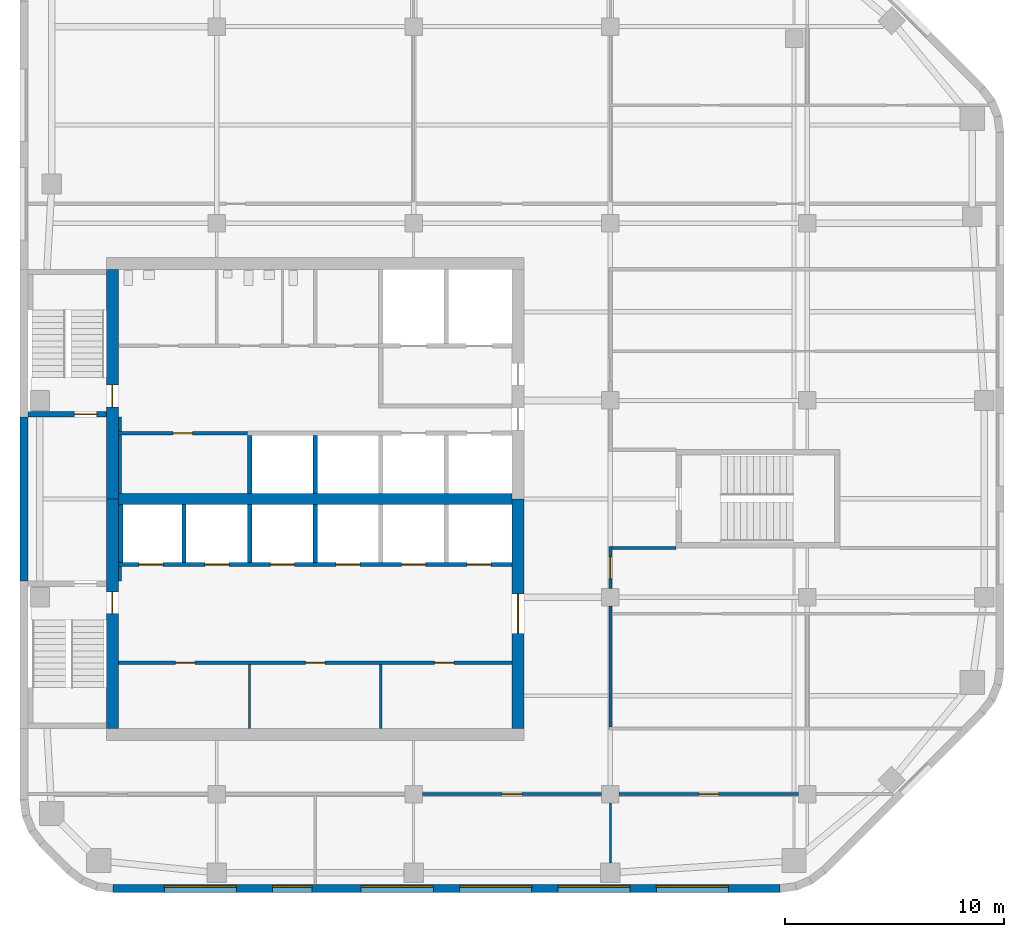
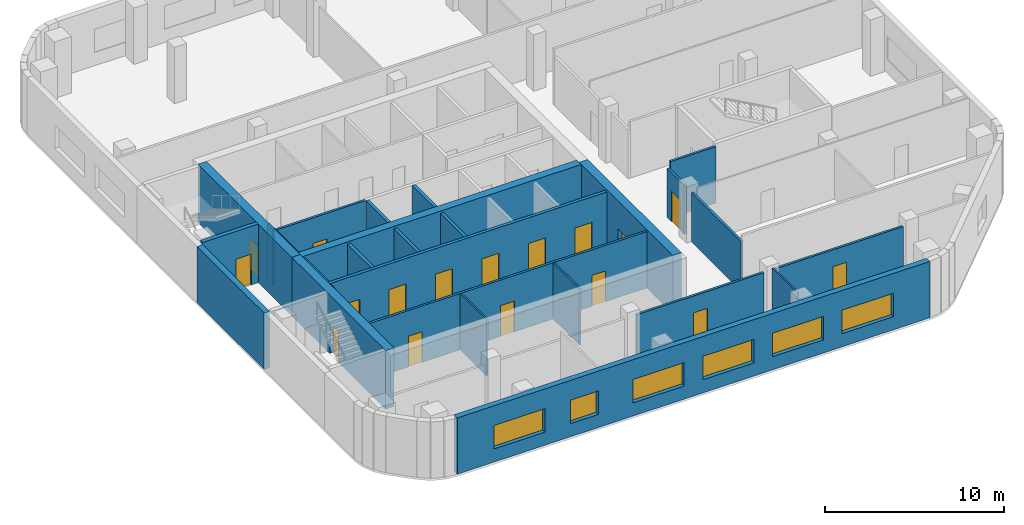
# One storey, part 3 of 8: 27 walls, 17 doors, 6 windows, 23 openings.
"""IFC4 building model written with IfcOpenShell, lengths in metres."""

from ifc_helpers import new_model, si_unit, direction, frame, frame_2d, origin, place, context, subcontext, project, spatial, rectangle, extrude, material, layer, layer_set, type_object, element, fill, save


model = new_model("IFC4")

# Units and contexts
model_context = context("Model", 3, precision=1e-05, world=origin(), true_north=direction((0.0, 1.0)))
body_context = subcontext(model_context, "Body", "Model", "MODEL_VIEW")
ifc_project = project(units=[si_unit("LENGTHUNIT", "METRE"), si_unit("AREAUNIT", "SQUARE_METRE"), si_unit("VOLUMEUNIT", "CUBIC_METRE"), si_unit("PLANEANGLEUNIT", "RADIAN"), si_unit("MASSUNIT", "GRAM", prefix="KILO")], contexts=[model_context])

# Site, building, storey
site_placement = place(None, origin())
site = spatial("IfcSite", under=ifc_project, at=site_placement, CompositionType="ELEMENT")
building_placement = place(site_placement, origin())
building = spatial("IfcBuilding", under=site, at=building_placement, Name="Cinnabar Reach Civic Tower", CompositionType="ELEMENT")
storey_placement = place(building_placement, frame((0.0, 0.0, 222.0)))
storey = spatial("IfcBuildingStorey", under=building, at=storey_placement, Name="L53", CompositionType="ELEMENT", Elevation=222.0)

# Wall, openings, windows
ifc_material_1 = material(Name="Facing brick with insulated backing", Category="masonry")
ifc_layer_1 = layer(ifc_material_1, 0.36)
ifc_layer_set_1 = layer_set([ifc_layer_1], Name="Brick pier and spandrel wall")
wall_type_1 = type_object("IfcWallType", Name="Brick pier and spandrel wall", PredefinedType="STANDARD", material=ifc_layer_set_1)
wall_1_placement = place(storey_placement, frame((4.2426, 13.68, 0.0), z_axis=(0.0, 0.0, 1.0), x_axis=(1.0, 0.0, 0.0)))
wall_1 = element("IfcWall", 1, at=wall_1_placement, inside=storey, type_object=wall_type_1, Name="Brick facade wall", PredefinedType="STANDARD", context=body_context, shape_type="SweptSolid", body=[
    extrude(rectangle(XDim=30.5148, YDim=0.36, at=frame_2d((15.2574, 0.0))), origin(), (0.0, 0.0, 1.0), 3.85),
])
opening_1_placement = place(wall_1_placement, frame((2.3574, 0.0, 0.9)))
opening_1 = element("IfcOpeningElement", 2, at=opening_1_placement, cuts=wall_1, Name="Opening W2080", PredefinedType="OPENING", context=body_context, shape_type="SweptSolid", body=[
    extrude(rectangle(XDim=3.3, YDim=1.6, at=frame_2d((1.65, 0.8))), frame((0.0, 0.19, 0.0), z_axis=(0.0, -1.0, 0.0), x_axis=(1.0, 0.0, 0.0)), (0.0, 0.0, 1.0), 0.38),
])
opening_2_placement = place(wall_1_placement, frame((7.3074, 0.0, 0.9)))
opening_2 = element("IfcOpeningElement", 3, at=opening_2_placement, cuts=wall_1, Name="Opening W2081", PredefinedType="OPENING", context=body_context, shape_type="SweptSolid", body=[
    extrude(rectangle(XDim=1.8, YDim=1.6, at=frame_2d((0.9, 0.8))), frame((0.0, 0.19, 0.0), z_axis=(0.0, -1.0, 0.0), x_axis=(1.0, 0.0, 0.0)), (0.0, 0.0, 1.0), 0.38),
])
opening_3_placement = place(wall_1_placement, frame((11.3574, 0.0, 0.9)))
opening_3 = element("IfcOpeningElement", 4, at=opening_3_placement, cuts=wall_1, Name="Opening W2082", PredefinedType="OPENING", context=body_context, shape_type="SweptSolid", body=[
    extrude(rectangle(XDim=3.3, YDim=1.6, at=frame_2d((1.65, 0.8))), frame((0.0, 0.19, 0.0), z_axis=(0.0, -1.0, 0.0), x_axis=(1.0, 0.0, 0.0)), (0.0, 0.0, 1.0), 0.38),
])
opening_4_placement = place(wall_1_placement, frame((15.8574, 0.0, 0.9)))
opening_4 = element("IfcOpeningElement", 5, at=opening_4_placement, cuts=wall_1, Name="Opening W2083", PredefinedType="OPENING", context=body_context, shape_type="SweptSolid", body=[
    extrude(rectangle(XDim=3.3, YDim=1.6, at=frame_2d((1.65, 0.8))), frame((0.0, 0.19, 0.0), z_axis=(0.0, -1.0, 0.0), x_axis=(1.0, 0.0, 0.0)), (0.0, 0.0, 1.0), 0.38),
])
opening_5_placement = place(wall_1_placement, frame((20.3574, 0.0, 0.9)))
opening_5 = element("IfcOpeningElement", 6, at=opening_5_placement, cuts=wall_1, Name="Opening W2084", PredefinedType="OPENING", context=body_context, shape_type="SweptSolid", body=[
    extrude(rectangle(XDim=3.3, YDim=1.6, at=frame_2d((1.65, 0.8))), frame((0.0, 0.19, 0.0), z_axis=(0.0, -1.0, 0.0), x_axis=(1.0, 0.0, 0.0)), (0.0, 0.0, 1.0), 0.38),
])
opening_6_placement = place(wall_1_placement, frame((24.8574, 0.0, 0.9)))
opening_6 = element("IfcOpeningElement", 7, at=opening_6_placement, cuts=wall_1, Name="Opening W2085", PredefinedType="OPENING", context=body_context, shape_type="SweptSolid", body=[
    extrude(rectangle(XDim=3.3, YDim=1.6, at=frame_2d((1.65, 0.8))), frame((0.0, 0.19, 0.0), z_axis=(0.0, -1.0, 0.0), x_axis=(1.0, 0.0, 0.0)), (0.0, 0.0, 1.0), 0.38),
])
ifc_material_2 = material(Name="Clear double glazing in aluminium frame", Category="aluminium")
window_type_1 = type_object("IfcWindowType", Name="Deep-set window A", PartitioningType="SINGLE_PANEL", PredefinedType="WINDOW", material=ifc_material_2)
window_1_placement = place(opening_1_placement, origin())
window_1 = element("IfcWindow", 8, at=window_1_placement, inside=storey, type_object=window_type_1, Name="Window south face", OverallHeight=1.6, OverallWidth=3.3, PartitioningType="SINGLE_PANEL", PredefinedType="WINDOW", context=body_context, shape_type="SweptSolid", body=[
    extrude(rectangle(XDim=3.3, YDim=1.6, at=frame_2d((1.65, 0.8))), frame((0.0, 0.13, 0.0), z_axis=(0.0, -1.0, 0.0), x_axis=(1.0, 0.0, 0.0)), (0.0, 0.0, 1.0), 0.06),
])
fill(opening_1, window_1)
window_2_placement = place(opening_3_placement, origin())
window_2 = element("IfcWindow", 9, at=window_2_placement, inside=storey, type_object=window_type_1, Name="Window south face", OverallHeight=1.6, OverallWidth=3.3, PartitioningType="SINGLE_PANEL", PredefinedType="WINDOW", context=body_context, shape_type="SweptSolid", body=[
    extrude(rectangle(XDim=3.3, YDim=1.6, at=frame_2d((1.65, 0.8))), frame((0.0, 0.13, 0.0), z_axis=(0.0, -1.0, 0.0), x_axis=(1.0, 0.0, 0.0)), (0.0, 0.0, 1.0), 0.06),
])
fill(opening_3, window_2)
window_3_placement = place(opening_4_placement, origin())
window_3 = element("IfcWindow", 10, at=window_3_placement, inside=storey, type_object=window_type_1, Name="Window south face", OverallHeight=1.6, OverallWidth=3.3, PartitioningType="SINGLE_PANEL", PredefinedType="WINDOW", context=body_context, shape_type="SweptSolid", body=[
    extrude(rectangle(XDim=3.3, YDim=1.6, at=frame_2d((1.65, 0.8))), frame((0.0, 0.13, 0.0), z_axis=(0.0, -1.0, 0.0), x_axis=(1.0, 0.0, 0.0)), (0.0, 0.0, 1.0), 0.06),
])
fill(opening_4, window_3)
window_4_placement = place(opening_5_placement, origin())
window_4 = element("IfcWindow", 11, at=window_4_placement, inside=storey, type_object=window_type_1, Name="Window south face", OverallHeight=1.6, OverallWidth=3.3, PartitioningType="SINGLE_PANEL", PredefinedType="WINDOW", context=body_context, shape_type="SweptSolid", body=[
    extrude(rectangle(XDim=3.3, YDim=1.6, at=frame_2d((1.65, 0.8))), frame((0.0, 0.13, 0.0), z_axis=(0.0, -1.0, 0.0), x_axis=(1.0, 0.0, 0.0)), (0.0, 0.0, 1.0), 0.06),
])
fill(opening_5, window_4)
window_5_placement = place(opening_6_placement, origin())
window_5 = element("IfcWindow", 12, at=window_5_placement, inside=storey, type_object=window_type_1, Name="Window south face", OverallHeight=1.6, OverallWidth=3.3, PartitioningType="SINGLE_PANEL", PredefinedType="WINDOW", context=body_context, shape_type="SweptSolid", body=[
    extrude(rectangle(XDim=3.3, YDim=1.6, at=frame_2d((1.65, 0.8))), frame((0.0, 0.13, 0.0), z_axis=(0.0, -1.0, 0.0), x_axis=(1.0, 0.0, 0.0)), (0.0, 0.0, 1.0), 0.06),
])
fill(opening_6, window_5)
window_type_2 = type_object("IfcWindowType", Name="Deep-set window D", PartitioningType="SINGLE_PANEL", PredefinedType="WINDOW", material=ifc_material_2)
window_6_placement = place(opening_2_placement, origin())
window_6 = element("IfcWindow", 13, at=window_6_placement, inside=storey, type_object=window_type_2, Name="Window south face", OverallHeight=1.6, OverallWidth=1.8, PartitioningType="SINGLE_PANEL", PredefinedType="WINDOW", context=body_context, shape_type="SweptSolid", body=[
    extrude(rectangle(XDim=1.8, YDim=1.6, at=frame_2d((0.9, 0.8))), frame((0.0, 0.13, 0.0), z_axis=(0.0, -1.0, 0.0), x_axis=(1.0, 0.0, 0.0)), (0.0, 0.0, 1.0), 0.06),
])
fill(opening_2, window_6)

# Walls
wall_2_placement = place(storey_placement, frame((0.18, 35.25, 0.0), z_axis=(0.0, 0.0, 1.0), x_axis=(0.0, -1.0, 0.0)))
element("IfcWall", 14, at=wall_2_placement, inside=storey, type_object=wall_type_1, Name="Brick facade wall", PredefinedType="STANDARD", context=body_context, shape_type="SweptSolid", body=[
    extrude(rectangle(XDim=7.5, YDim=0.36, at=frame_2d((3.75, 0.0))), origin(), (0.0, 0.0, 1.0), 3.85),
])
ifc_material_3 = material(Name="Concrete C60", Category="concrete")
ifc_layer_2 = layer(ifc_material_3, 0.5)
ifc_layer_set_2 = layer_set([ifc_layer_2], Name="Core wall 500 EI 180")
wall_type_2 = type_object("IfcWallType", Name="Core wall 500 EI 180", PredefinedType="SOLIDWALL", material=ifc_layer_set_2)
wall_3_placement = place(storey_placement, frame((4.5, 31.5, 0.0), z_axis=(0.0, 0.0, 1.0), x_axis=(1.0, 0.0, 0.0)))
element("IfcWall", 15, at=wall_3_placement, inside=storey, type_object=wall_type_2, Name="Core spine wall T1 L53", PredefinedType="SOLIDWALL", context=body_context, shape_type="SweptSolid", body=[
    extrude(rectangle(XDim=18.0, YDim=0.5, at=frame_2d((9.0, 0.0))), origin(), (0.0, 0.0, 1.0), 4.0),
])

# Wall, opening, door
ifc_layer_3 = layer(ifc_material_3, 0.55)
ifc_layer_set_3 = layer_set([ifc_layer_3], Name="Core wall 550 EI 180")
wall_type_3 = type_object("IfcWallType", Name="Core wall 550 EI 180", PredefinedType="SOLIDWALL", material=ifc_layer_set_3)
wall_4_placement = place(storey_placement, frame((22.775, 21.0, 0.0), z_axis=(0.0, 0.0, 1.0), x_axis=(0.0, 1.0, 0.0)))
wall_4 = element("IfcWall", 16, at=wall_4_placement, inside=storey, type_object=wall_type_3, Name="Core wall T1 L53 E", PredefinedType="SOLIDWALL", context=body_context, shape_type="SweptSolid", body=[
    extrude(rectangle(XDim=10.5, YDim=0.55, at=frame_2d((5.25, 0.0))), origin(), (0.0, 0.0, 1.0), 4.0),
])
opening_7_placement = place(wall_4_placement, frame((4.35, 0.0, 0.0)))
opening_7 = element("IfcOpeningElement", 17, at=opening_7_placement, cuts=wall_4, Name="Opening D5161", PredefinedType="OPENING", context=body_context, shape_type="SweptSolid", body=[
    extrude(rectangle(XDim=1.8, YDim=2.1, at=frame_2d((0.9, 1.05))), frame((0.0, 0.285, 0.0), z_axis=(0.0, -1.0, 0.0), x_axis=(1.0, 0.0, 0.0)), (0.0, 0.0, 1.0), 0.57),
])
ifc_material_4 = material(Name="Timber door leaf in steel frame", Category="steel")
door_type_1 = type_object("IfcDoorType", Name="Double swing door 1800 x 2100 T1", OperationType="DOUBLE_DOOR_DOUBLE_SWING", PredefinedType="DOOR", material=ifc_material_4)
door_1_placement = place(opening_7_placement, origin())
door_1 = element("IfcDoor", 18, at=door_1_placement, inside=storey, type_object=door_type_1, Name="Door D5161", OperationType="DOUBLE_DOOR_DOUBLE_SWING", OverallHeight=2.1, OverallWidth=1.8, PredefinedType="DOOR", context=body_context, shape_type="SweptSolid", body=[
    extrude(rectangle(XDim=1.8, YDim=2.1, at=frame_2d((0.9, 1.05))), frame((0.0, 0.025, 0.0), z_axis=(0.0, -1.0, 0.0), x_axis=(1.0, 0.0, 0.0)), (0.0, 0.0, 1.0), 0.05),
])
fill(opening_7, door_1)

wall_5_placement = place(storey_placement, frame((4.225, 42.0, 0.0), z_axis=(0.0, 0.0, 1.0), x_axis=(0.0, -1.0, 0.0)))
wall_5 = element("IfcWall", 19, at=wall_5_placement, inside=storey, type_object=wall_type_3, Name="Core wall T1 L53 W", PredefinedType="SOLIDWALL", context=body_context, shape_type="SweptSolid", body=[
    extrude(rectangle(XDim=10.5, YDim=0.55, at=frame_2d((5.25, 0.0))), origin(), (0.0, 0.0, 1.0), 4.0),
])
opening_8_placement = place(wall_5_placement, frame((5.3, 0.0, 0.0)))
opening_8 = element("IfcOpeningElement", 20, at=opening_8_placement, cuts=wall_5, Name="Opening D5149", PredefinedType="OPENING", context=body_context, shape_type="SweptSolid", body=[
    extrude(rectangle(XDim=1.0, YDim=2.1, at=frame_2d((0.5, 1.05))), frame((0.0, 0.285, 0.0), z_axis=(0.0, -1.0, 0.0), x_axis=(1.0, 0.0, 0.0)), (0.0, 0.0, 1.0), 0.57),
])
door_type_2 = type_object("IfcDoorType", Name="Stair door 1000 x 2100 T1", OperationType="SINGLE_SWING_LEFT", PredefinedType="DOOR", material=ifc_material_4)
door_2_placement = place(opening_8_placement, frame((1.0, 0.0, 0.0), z_axis=(0.0, 0.0, 1.0), x_axis=(-1.0, 0.0, 0.0)))
door_2 = element("IfcDoor", 21, at=door_2_placement, inside=storey, type_object=door_type_2, Name="Door D5149", OperationType="SINGLE_SWING_LEFT", OverallHeight=2.1, OverallWidth=1.0, PredefinedType="DOOR", context=body_context, shape_type="SweptSolid", body=[
    extrude(rectangle(XDim=1.0, YDim=2.1, at=frame_2d((0.5, 1.05))), frame((0.0, 0.025, 0.0), z_axis=(0.0, -1.0, 0.0), x_axis=(1.0, 0.0, 0.0)), (0.0, 0.0, 1.0), 0.05),
])
fill(opening_8, door_2)

wall_6_placement = place(storey_placement, frame((4.225, 31.5, 0.0), z_axis=(0.0, 0.0, 1.0), x_axis=(0.0, -1.0, 0.0)))
wall_6 = element("IfcWall", 22, at=wall_6_placement, inside=storey, type_object=wall_type_3, Name="Core wall T1 L53 W2", PredefinedType="SOLIDWALL", context=body_context, shape_type="SweptSolid", body=[
    extrude(rectangle(XDim=10.5, YDim=0.55, at=frame_2d((5.25, 0.0))), origin(), (0.0, 0.0, 1.0), 4.0),
])
opening_9_placement = place(wall_6_placement, frame((4.25, 0.0, 0.0)))
opening_9 = element("IfcOpeningElement", 23, at=opening_9_placement, cuts=wall_6, Name="Opening D5147", PredefinedType="OPENING", context=body_context, shape_type="SweptSolid", body=[
    extrude(rectangle(XDim=1.0, YDim=2.1, at=frame_2d((0.5, 1.05))), frame((0.0, 0.285, 0.0), z_axis=(0.0, -1.0, 0.0), x_axis=(1.0, 0.0, 0.0)), (0.0, 0.0, 1.0), 0.57),
])
door_3_placement = place(opening_9_placement, frame((1.0, 0.0, 0.0), z_axis=(0.0, 0.0, 1.0), x_axis=(-1.0, 0.0, 0.0)))
door_3 = element("IfcDoor", 24, at=door_3_placement, inside=storey, type_object=door_type_2, Name="Door D5147", OperationType="SINGLE_SWING_RIGHT", OverallHeight=2.1, OverallWidth=1.0, PredefinedType="DOOR", context=body_context, shape_type="SweptSolid", body=[
    extrude(rectangle(XDim=1.0, YDim=2.1, at=frame_2d((0.5, 1.05))), frame((0.0, 0.025, 0.0), z_axis=(0.0, -1.0, 0.0), x_axis=(1.0, 0.0, 0.0)), (0.0, 0.0, 1.0), 0.05),
])
fill(opening_9, door_3)

ifc_material_5 = material(Name="Gypsum board on steel studs, double layer", Category="steel")
ifc_layer_4 = layer(ifc_material_5, 0.15)
ifc_layer_set_4 = layer_set([ifc_layer_4], Name="Corridor wall 150 T1")
wall_type_4 = type_object("IfcWallType", Name="Corridor wall 150 T1", PredefinedType="PARTITIONING", material=ifc_layer_set_4)
wall_7_placement = place(storey_placement, frame((27.4, 18.0, 0.0), z_axis=(0.0, 0.0, 1.0), x_axis=(1.0, 0.0, 0.0)))
wall_7 = element("IfcWall", 25, at=wall_7_placement, inside=storey, type_object=wall_type_4, Name="Corridor wall 20", PredefinedType="PARTITIONING", context=body_context, shape_type="SweptSolid", body=[
    extrude(rectangle(XDim=8.2, YDim=0.15, at=frame_2d((4.1, 0.0))), origin(), (0.0, 0.0, 1.0), 3.254),
])
opening_10_placement = place(wall_7_placement, frame((3.65, 0.0, 0.0)))
opening_10 = element("IfcOpeningElement", 26, at=opening_10_placement, cuts=wall_7, Name="Opening D5180", PredefinedType="OPENING", context=body_context, shape_type="SweptSolid", body=[
    extrude(rectangle(XDim=0.9, YDim=2.1, at=frame_2d((0.45, 1.05))), frame((0.0, 0.085, 0.0), z_axis=(0.0, -1.0, 0.0), x_axis=(1.0, 0.0, 0.0)), (0.0, 0.0, 1.0), 0.17),
])
door_type_3 = type_object("IfcDoorType", Name="Single swing door 900 x 2100 corridor T1", OperationType="SINGLE_SWING_LEFT", PredefinedType="DOOR", material=ifc_material_4)
door_4_placement = place(opening_10_placement, frame((0.9, 0.0, 0.0), z_axis=(0.0, 0.0, 1.0), x_axis=(-1.0, 0.0, 0.0)))
door_4 = element("IfcDoor", 27, at=door_4_placement, inside=storey, type_object=door_type_3, Name="Door D5180", OperationType="SINGLE_SWING_LEFT", OverallHeight=2.1, OverallWidth=0.9, PredefinedType="DOOR", context=body_context, shape_type="SweptSolid", body=[
    extrude(rectangle(XDim=0.9, YDim=2.1, at=frame_2d((0.45, 1.05))), frame((0.0, 0.025, 0.0), z_axis=(0.0, -1.0, 0.0), x_axis=(1.0, 0.0, 0.0)), (0.0, 0.0, 1.0), 0.05),
])
fill(opening_10, door_4)

wall_8_placement = place(storey_placement, frame((18.4, 18.0, 0.0), z_axis=(0.0, 0.0, 1.0), x_axis=(1.0, 0.0, 0.0)))
wall_8 = element("IfcWall", 28, at=wall_8_placement, inside=storey, type_object=wall_type_4, Name="Corridor wall 21", PredefinedType="PARTITIONING", context=body_context, shape_type="SweptSolid", body=[
    extrude(rectangle(XDim=8.2, YDim=0.15, at=frame_2d((4.1, 0.0))), origin(), (0.0, 0.0, 1.0), 3.254),
])
opening_11_placement = place(wall_8_placement, frame((3.65, 0.0, 0.0)))
opening_11 = element("IfcOpeningElement", 29, at=opening_11_placement, cuts=wall_8, Name="Opening D5179", PredefinedType="OPENING", context=body_context, shape_type="SweptSolid", body=[
    extrude(rectangle(XDim=0.9, YDim=2.1, at=frame_2d((0.45, 1.05))), frame((0.0, 0.085, 0.0), z_axis=(0.0, -1.0, 0.0), x_axis=(1.0, 0.0, 0.0)), (0.0, 0.0, 1.0), 0.17),
])
door_5_placement = place(opening_11_placement, frame((0.9, 0.0, 0.0), z_axis=(0.0, 0.0, 1.0), x_axis=(-1.0, 0.0, 0.0)))
door_5 = element("IfcDoor", 30, at=door_5_placement, inside=storey, type_object=door_type_3, Name="Door D5179", OperationType="SINGLE_SWING_LEFT", OverallHeight=2.1, OverallWidth=0.9, PredefinedType="DOOR", context=body_context, shape_type="SweptSolid", body=[
    extrude(rectangle(XDim=0.9, YDim=2.1, at=frame_2d((0.45, 1.05))), frame((0.0, 0.025, 0.0), z_axis=(0.0, -1.0, 0.0), x_axis=(1.0, 0.0, 0.0)), (0.0, 0.0, 1.0), 0.05),
])
fill(opening_11, door_5)

# Wall, openings, doors
wall_9_placement = place(storey_placement, frame((4.5, 24.0, 0.0), z_axis=(0.0, 0.0, 1.0), x_axis=(1.0, 0.0, 0.0)))
wall_9 = element("IfcWall", 31, at=wall_9_placement, inside=storey, type_object=wall_type_4, Name="Corridor wall 24", PredefinedType="PARTITIONING", context=body_context, shape_type="SweptSolid", body=[
    extrude(rectangle(XDim=18.0, YDim=0.15, at=frame_2d((9.0, 0.0))), origin(), (0.0, 0.0, 1.0), 3.85),
])
opening_12_placement = place(wall_9_placement, frame((2.6, 0.0, 0.0)))
opening_12 = element("IfcOpeningElement", 32, at=opening_12_placement, cuts=wall_9, Name="Opening D5165", PredefinedType="OPENING", context=body_context, shape_type="SweptSolid", body=[
    extrude(rectangle(XDim=0.9, YDim=2.1, at=frame_2d((0.45, 1.05))), frame((0.0, 0.085, 0.0), z_axis=(0.0, -1.0, 0.0), x_axis=(1.0, 0.0, 0.0)), (0.0, 0.0, 1.0), 0.17),
])
opening_13_placement = place(wall_9_placement, frame((8.55, 0.0, 0.0)))
opening_13 = element("IfcOpeningElement", 33, at=opening_13_placement, cuts=wall_9, Name="Opening D5166", PredefinedType="OPENING", context=body_context, shape_type="SweptSolid", body=[
    extrude(rectangle(XDim=0.9, YDim=2.1, at=frame_2d((0.45, 1.05))), frame((0.0, 0.085, 0.0), z_axis=(0.0, -1.0, 0.0), x_axis=(1.0, 0.0, 0.0)), (0.0, 0.0, 1.0), 0.17),
])
opening_14_placement = place(wall_9_placement, frame((14.45, 0.0, 0.0)))
opening_14 = element("IfcOpeningElement", 34, at=opening_14_placement, cuts=wall_9, Name="Opening D5167", PredefinedType="OPENING", context=body_context, shape_type="SweptSolid", body=[
    extrude(rectangle(XDim=0.9, YDim=2.1, at=frame_2d((0.45, 1.05))), frame((0.0, 0.085, 0.0), z_axis=(0.0, -1.0, 0.0), x_axis=(1.0, 0.0, 0.0)), (0.0, 0.0, 1.0), 0.17),
])
door_6_placement = place(opening_12_placement, frame((0.9, 0.0, 0.0), z_axis=(0.0, 0.0, 1.0), x_axis=(-1.0, 0.0, 0.0)))
door_6 = element("IfcDoor", 35, at=door_6_placement, inside=storey, type_object=door_type_3, Name="Door D5165", OperationType="SINGLE_SWING_RIGHT", OverallHeight=2.1, OverallWidth=0.9, PredefinedType="DOOR", context=body_context, shape_type="SweptSolid", body=[
    extrude(rectangle(XDim=0.9, YDim=2.1, at=frame_2d((0.45, 1.05))), frame((0.0, 0.025, 0.0), z_axis=(0.0, -1.0, 0.0), x_axis=(1.0, 0.0, 0.0)), (0.0, 0.0, 1.0), 0.05),
])
fill(opening_12, door_6)
door_7_placement = place(opening_13_placement, frame((0.9, 0.0, 0.0), z_axis=(0.0, 0.0, 1.0), x_axis=(-1.0, 0.0, 0.0)))
door_7 = element("IfcDoor", 36, at=door_7_placement, inside=storey, type_object=door_type_3, Name="Door D5166", OperationType="SINGLE_SWING_RIGHT", OverallHeight=2.1, OverallWidth=0.9, PredefinedType="DOOR", context=body_context, shape_type="SweptSolid", body=[
    extrude(rectangle(XDim=0.9, YDim=2.1, at=frame_2d((0.45, 1.05))), frame((0.0, 0.025, 0.0), z_axis=(0.0, -1.0, 0.0), x_axis=(1.0, 0.0, 0.0)), (0.0, 0.0, 1.0), 0.05),
])
fill(opening_13, door_7)
door_8_placement = place(opening_14_placement, frame((0.9, 0.0, 0.0), z_axis=(0.0, 0.0, 1.0), x_axis=(-1.0, 0.0, 0.0)))
door_8 = element("IfcDoor", 37, at=door_8_placement, inside=storey, type_object=door_type_3, Name="Door D5167", OperationType="SINGLE_SWING_LEFT", OverallHeight=2.1, OverallWidth=0.9, PredefinedType="DOOR", context=body_context, shape_type="SweptSolid", body=[
    extrude(rectangle(XDim=0.9, YDim=2.1, at=frame_2d((0.45, 1.05))), frame((0.0, 0.025, 0.0), z_axis=(0.0, -1.0, 0.0), x_axis=(1.0, 0.0, 0.0)), (0.0, 0.0, 1.0), 0.05),
])
fill(opening_14, door_8)

# Wall
wall_10_placement = place(storey_placement, frame((27.0, 21.075, 0.0), z_axis=(0.0, 0.0, 1.0), x_axis=(0.0, 1.0, 0.0)))
element("IfcWall", 38, at=wall_10_placement, inside=storey, type_object=wall_type_4, Name="Corridor wall 28", PredefinedType="PARTITIONING", context=body_context, shape_type="SweptSolid", body=[
    extrude(rectangle(XDim=5.525, YDim=0.15, at=frame_2d((2.7625, 0.0))), origin(), (0.0, 0.0, 1.0), 3.35),
])

# Wall, opening, door
wall_11_placement = place(storey_placement, frame((27.0, 27.4, 0.0), z_axis=(0.0, 0.0, 1.0), x_axis=(0.0, 1.0, 0.0)))
wall_11 = element("IfcWall", 39, at=wall_11_placement, inside=storey, type_object=wall_type_4, Name="Corridor wall 29", PredefinedType="PARTITIONING", context=body_context, shape_type="SweptSolid", body=[
    extrude(rectangle(XDim=1.925, YDim=0.15, at=frame_2d((0.9625, 0.0))), origin(), (0.0, 0.0, 1.0), 3.35),
])
opening_15_placement = place(wall_11_placement, frame((0.45, 0.0, 0.0)))
opening_15 = element("IfcOpeningElement", 40, at=opening_15_placement, cuts=wall_11, Name="Opening D5175", PredefinedType="OPENING", context=body_context, shape_type="SweptSolid", body=[
    extrude(rectangle(XDim=1.0, YDim=2.1, at=frame_2d((0.5, 1.05))), frame((0.0, 0.085, 0.0), z_axis=(0.0, -1.0, 0.0), x_axis=(1.0, 0.0, 0.0)), (0.0, 0.0, 1.0), 0.17),
])
door_type_4 = type_object("IfcDoorType", Name="Tenancy entrance door 1000 x 2100 T1", OperationType="SINGLE_SWING_LEFT", PredefinedType="DOOR", material=ifc_material_4)
door_9_placement = place(opening_15_placement, frame((1.0, 0.0, 0.0), z_axis=(0.0, 0.0, 1.0), x_axis=(-1.0, 0.0, 0.0)))
door_9 = element("IfcDoor", 41, at=door_9_placement, inside=storey, type_object=door_type_4, Name="Door D5175", OperationType="SINGLE_SWING_LEFT", OverallHeight=2.1, OverallWidth=1.0, PredefinedType="DOOR", context=body_context, shape_type="SweptSolid", body=[
    extrude(rectangle(XDim=1.0, YDim=2.1, at=frame_2d((0.5, 1.05))), frame((0.0, 0.025, 0.0), z_axis=(0.0, -1.0, 0.0), x_axis=(1.0, 0.0, 0.0)), (0.0, 0.0, 1.0), 0.05),
])
fill(opening_15, door_9)

wall_12_placement = place(storey_placement, frame((4.5, 34.5, 0.0), z_axis=(0.0, 0.0, 1.0), x_axis=(1.0, 0.0, 0.0)))
wall_12 = element("IfcWall", 42, at=wall_12_placement, inside=storey, type_object=wall_type_4, Name="Corridor wall 32", PredefinedType="PARTITIONING", context=body_context, shape_type="SweptSolid", body=[
    extrude(rectangle(XDim=5.9, YDim=0.15, at=frame_2d((2.95, 0.0))), origin(), (0.0, 0.0, 1.0), 3.85),
])
opening_16_placement = place(wall_12_placement, frame((2.5, 0.0, 0.0)))
opening_16 = element("IfcOpeningElement", 43, at=opening_16_placement, cuts=wall_12, Name="Opening D5168", PredefinedType="OPENING", context=body_context, shape_type="SweptSolid", body=[
    extrude(rectangle(XDim=0.9, YDim=2.1, at=frame_2d((0.45, 1.05))), frame((0.0, 0.085, 0.0), z_axis=(0.0, -1.0, 0.0), x_axis=(1.0, 0.0, 0.0)), (0.0, 0.0, 1.0), 0.17),
])
door_10_placement = place(opening_16_placement, frame((0.9, 0.0, 0.0), z_axis=(0.0, 0.0, 1.0), x_axis=(-1.0, 0.0, 0.0)))
door_10 = element("IfcDoor", 44, at=door_10_placement, inside=storey, type_object=door_type_3, Name="Door D5168", OperationType="SINGLE_SWING_LEFT", OverallHeight=2.1, OverallWidth=0.9, PredefinedType="DOOR", context=body_context, shape_type="SweptSolid", body=[
    extrude(rectangle(XDim=0.9, YDim=2.1, at=frame_2d((0.45, 1.05))), frame((0.0, 0.025, 0.0), z_axis=(0.0, -1.0, 0.0), x_axis=(1.0, 0.0, 0.0)), (0.0, 0.0, 1.0), 0.05),
])
fill(opening_16, door_10)

# Walls
wall_13_placement = place(storey_placement, frame((4.575, 34.575, 0.0), z_axis=(0.0, 0.0, 1.0), x_axis=(0.0, 1.0, 0.0)))
element("IfcWall", 45, at=wall_13_placement, inside=storey, type_object=wall_type_4, Name="Corridor wall 33", PredefinedType="PARTITIONING", context=body_context, shape_type="SweptSolid", body=[
    extrude(rectangle(XDim=0.675, YDim=0.15, at=frame_2d((0.3375, 0.0))), origin(), (0.0, 0.0, 1.0), 3.85),
])
wall_14_placement = place(storey_placement, frame((4.575, 31.75, 0.0), z_axis=(0.0, 0.0, 1.0), x_axis=(0.0, 1.0, 0.0)))
element("IfcWall", 46, at=wall_14_placement, inside=storey, type_object=wall_type_4, Name="Corridor wall 34", PredefinedType="PARTITIONING", context=body_context, shape_type="SweptSolid", body=[
    extrude(rectangle(XDim=2.675, YDim=0.15, at=frame_2d((1.3375, 0.0))), origin(), (0.0, 0.0, 1.0), 3.85),
])
wall_15_placement = place(storey_placement, frame((27.075, 29.25, 0.0), z_axis=(0.0, 0.0, 1.0), x_axis=(1.0, 0.0, 0.0)))
element("IfcWall", 47, at=wall_15_placement, inside=storey, type_object=wall_type_4, Name="Corridor wall 35", PredefinedType="PARTITIONING", context=body_context, shape_type="SweptSolid", body=[
    extrude(rectangle(XDim=2.925, YDim=0.15, at=frame_2d((1.4625, 0.0))), origin(), (0.0, 0.0, 1.0), 3.85),
])
wall_16_placement = place(storey_placement, frame((4.575, 27.75, 0.0), z_axis=(0.0, 0.0, 1.0), x_axis=(0.0, 1.0, 0.0)))
element("IfcWall", 48, at=wall_16_placement, inside=storey, type_object=wall_type_4, Name="Corridor wall 37", PredefinedType="PARTITIONING", context=body_context, shape_type="SweptSolid", body=[
    extrude(rectangle(XDim=0.65, YDim=0.15, at=frame_2d((0.325, 0.0))), origin(), (0.0, 0.0, 1.0), 3.85),
])

# Wall, openings, doors
ifc_material_6 = material(Name="Blockwork", Category="masonry")
ifc_layer_5 = layer(ifc_material_6, 0.2)
ifc_layer_set_5 = layer_set([ifc_layer_5], Name="Lift shaft wall 200 T1")
wall_type_5 = type_object("IfcWallType", Name="Lift shaft wall 200 T1", PredefinedType="PARTITIONING", material=ifc_layer_set_5)
wall_17_placement = place(storey_placement, frame((4.5, 28.5, 0.0), z_axis=(0.0, 0.0, 1.0), x_axis=(1.0, 0.0, 0.0)))
wall_17 = element("IfcWall", 49, at=wall_17_placement, inside=storey, type_object=wall_type_5, Name="Lift shaft wall 4", PredefinedType="PARTITIONING", context=body_context, shape_type="SweptSolid", body=[
    extrude(rectangle(XDim=18.0, YDim=0.2, at=frame_2d((9.0, 0.0))), origin(), (0.0, 0.0, 1.0), 3.85),
])
opening_17_placement = place(wall_17_placement, frame((0.95, 0.0, 0.0)))
opening_17 = element("IfcOpeningElement", 50, at=opening_17_placement, cuts=wall_17, Name="Opening D5151", PredefinedType="OPENING", context=body_context, shape_type="SweptSolid", body=[
    extrude(rectangle(XDim=1.1, YDim=2.1, at=frame_2d((0.55, 1.05))), frame((0.0, 0.11, 0.0), z_axis=(0.0, -1.0, 0.0), x_axis=(1.0, 0.0, 0.0)), (0.0, 0.0, 1.0), 0.22),
])
opening_18_placement = place(wall_17_placement, frame((3.95, 0.0, 0.0)))
opening_18 = element("IfcOpeningElement", 51, at=opening_18_placement, cuts=wall_17, Name="Opening D5152", PredefinedType="OPENING", context=body_context, shape_type="SweptSolid", body=[
    extrude(rectangle(XDim=1.1, YDim=2.1, at=frame_2d((0.55, 1.05))), frame((0.0, 0.11, 0.0), z_axis=(0.0, -1.0, 0.0), x_axis=(1.0, 0.0, 0.0)), (0.0, 0.0, 1.0), 0.22),
])
opening_19_placement = place(wall_17_placement, frame((6.95, 0.0, 0.0)))
opening_19 = element("IfcOpeningElement", 52, at=opening_19_placement, cuts=wall_17, Name="Opening D5153", PredefinedType="OPENING", context=body_context, shape_type="SweptSolid", body=[
    extrude(rectangle(XDim=1.1, YDim=2.1, at=frame_2d((0.55, 1.05))), frame((0.0, 0.11, 0.0), z_axis=(0.0, -1.0, 0.0), x_axis=(1.0, 0.0, 0.0)), (0.0, 0.0, 1.0), 0.22),
])
opening_20_placement = place(wall_17_placement, frame((9.95, 0.0, 0.0)))
opening_20 = element("IfcOpeningElement", 53, at=opening_20_placement, cuts=wall_17, Name="Opening D5154", PredefinedType="OPENING", context=body_context, shape_type="SweptSolid", body=[
    extrude(rectangle(XDim=1.1, YDim=2.1, at=frame_2d((0.55, 1.05))), frame((0.0, 0.11, 0.0), z_axis=(0.0, -1.0, 0.0), x_axis=(1.0, 0.0, 0.0)), (0.0, 0.0, 1.0), 0.22),
])
opening_21_placement = place(wall_17_placement, frame((12.95, 0.0, 0.0)))
opening_21 = element("IfcOpeningElement", 54, at=opening_21_placement, cuts=wall_17, Name="Opening D5155", PredefinedType="OPENING", context=body_context, shape_type="SweptSolid", body=[
    extrude(rectangle(XDim=1.1, YDim=2.1, at=frame_2d((0.55, 1.05))), frame((0.0, 0.11, 0.0), z_axis=(0.0, -1.0, 0.0), x_axis=(1.0, 0.0, 0.0)), (0.0, 0.0, 1.0), 0.22),
])
opening_22_placement = place(wall_17_placement, frame((15.95, 0.0, 0.0)))
opening_22 = element("IfcOpeningElement", 55, at=opening_22_placement, cuts=wall_17, Name="Opening D5156", PredefinedType="OPENING", context=body_context, shape_type="SweptSolid", body=[
    extrude(rectangle(XDim=1.1, YDim=2.1, at=frame_2d((0.55, 1.05))), frame((0.0, 0.11, 0.0), z_axis=(0.0, -1.0, 0.0), x_axis=(1.0, 0.0, 0.0)), (0.0, 0.0, 1.0), 0.22),
])
ifc_material_7 = material(Name="Stainless steel sliding door", Category="steel")
door_type_5 = type_object("IfcDoorType", Name="Lift landing door 1100 x 2100 T1", OperationType="SLIDING_TO_LEFT", PredefinedType="DOOR", material=ifc_material_7)
door_11_placement = place(opening_17_placement, origin())
door_11 = element("IfcDoor", 56, at=door_11_placement, inside=storey, type_object=door_type_5, Name="Lift landing door HR1 L53", OperationType="SLIDING_TO_LEFT", OverallHeight=2.1, OverallWidth=1.1, PredefinedType="DOOR", context=body_context, shape_type="SweptSolid", body=[
    extrude(rectangle(XDim=1.1, YDim=2.1, at=frame_2d((0.55, 1.05))), frame((0.0, 0.025, 0.0), z_axis=(0.0, -1.0, 0.0), x_axis=(1.0, 0.0, 0.0)), (0.0, 0.0, 1.0), 0.05),
])
fill(opening_17, door_11)
door_12_placement = place(opening_18_placement, origin())
door_12 = element("IfcDoor", 57, at=door_12_placement, inside=storey, type_object=door_type_5, Name="Lift landing door HR2 L53", OperationType="SLIDING_TO_LEFT", OverallHeight=2.1, OverallWidth=1.1, PredefinedType="DOOR", context=body_context, shape_type="SweptSolid", body=[
    extrude(rectangle(XDim=1.1, YDim=2.1, at=frame_2d((0.55, 1.05))), frame((0.0, 0.025, 0.0), z_axis=(0.0, -1.0, 0.0), x_axis=(1.0, 0.0, 0.0)), (0.0, 0.0, 1.0), 0.05),
])
fill(opening_18, door_12)
door_13_placement = place(opening_19_placement, origin())
door_13 = element("IfcDoor", 58, at=door_13_placement, inside=storey, type_object=door_type_5, Name="Lift landing door HR3 L53", OperationType="SLIDING_TO_LEFT", OverallHeight=2.1, OverallWidth=1.1, PredefinedType="DOOR", context=body_context, shape_type="SweptSolid", body=[
    extrude(rectangle(XDim=1.1, YDim=2.1, at=frame_2d((0.55, 1.05))), frame((0.0, 0.025, 0.0), z_axis=(0.0, -1.0, 0.0), x_axis=(1.0, 0.0, 0.0)), (0.0, 0.0, 1.0), 0.05),
])
fill(opening_19, door_13)
door_14_placement = place(opening_20_placement, origin())
door_14 = element("IfcDoor", 59, at=door_14_placement, inside=storey, type_object=door_type_5, Name="Lift landing door HR4 L53", OperationType="SLIDING_TO_LEFT", OverallHeight=2.1, OverallWidth=1.1, PredefinedType="DOOR", context=body_context, shape_type="SweptSolid", body=[
    extrude(rectangle(XDim=1.1, YDim=2.1, at=frame_2d((0.55, 1.05))), frame((0.0, 0.025, 0.0), z_axis=(0.0, -1.0, 0.0), x_axis=(1.0, 0.0, 0.0)), (0.0, 0.0, 1.0), 0.05),
])
fill(opening_20, door_14)
door_15_placement = place(opening_21_placement, origin())
door_15 = element("IfcDoor", 60, at=door_15_placement, inside=storey, type_object=door_type_5, Name="Lift landing door HR5 L53", OperationType="SLIDING_TO_LEFT", OverallHeight=2.1, OverallWidth=1.1, PredefinedType="DOOR", context=body_context, shape_type="SweptSolid", body=[
    extrude(rectangle(XDim=1.1, YDim=2.1, at=frame_2d((0.55, 1.05))), frame((0.0, 0.025, 0.0), z_axis=(0.0, -1.0, 0.0), x_axis=(1.0, 0.0, 0.0)), (0.0, 0.0, 1.0), 0.05),
])
fill(opening_21, door_15)
door_16_placement = place(opening_22_placement, origin())
door_16 = element("IfcDoor", 61, at=door_16_placement, inside=storey, type_object=door_type_5, Name="Lift landing door HR6 L53", OperationType="SLIDING_TO_LEFT", OverallHeight=2.1, OverallWidth=1.1, PredefinedType="DOOR", context=body_context, shape_type="SweptSolid", body=[
    extrude(rectangle(XDim=1.1, YDim=2.1, at=frame_2d((0.55, 1.05))), frame((0.0, 0.025, 0.0), z_axis=(0.0, -1.0, 0.0), x_axis=(1.0, 0.0, 0.0)), (0.0, 0.0, 1.0), 0.05),
])
fill(opening_22, door_16)

# Walls
for number, where, z_axis, x_axis, name in (
    (62, (10.5, 28.6, 0.0), (0.0, 0.0, 1.0), (0.0, 1.0, 0.0), "Lift shaft wall 6"),
    (63, (10.5, 31.75, 0.0), (0.0, 0.0, 1.0), (0.0, 1.0, 0.0), "Lift shaft wall 7"),
    (64, (13.5, 28.6, 0.0), (0.0, 0.0, 1.0), (0.0, 1.0, 0.0), "Lift shaft wall 8"),
    (65, (13.5, 31.75, 0.0), (0.0, 0.0, 1.0), (0.0, 1.0, 0.0), "Lift shaft wall 9"),
    (66, (4.6, 28.6, 0.0), (0.0, 0.0, 1.0), (0.0, 1.0, 0.0), "Lift shaft wall 16"),
    (67, (7.5, 28.6, 0.0), (0.0, 0.0, 1.0), (0.0, 1.0, 0.0), "Lift shaft wall 17"),
):
    element("IfcWall", number, at=place(storey_placement, frame(where, z_axis=z_axis, x_axis=x_axis)), inside=storey, type_object=wall_type_5, Name=name, PredefinedType="PARTITIONING", context=body_context, shape_type="SweptSolid", body=[
        extrude(rectangle(XDim=2.65, YDim=0.2, at=frame_2d((1.325, 0.0))), origin(), (0.0, 0.0, 1.0), 3.85),
    ])
ifc_material_8 = material(Name="Gypsum board on steel studs", Category="steel")
ifc_layer_6 = layer(ifc_material_8, 0.1)
ifc_layer_set_6 = layer_set([ifc_layer_6], Name="Partition wall 100 T1")
wall_type_6 = type_object("IfcWallType", Name="Partition wall 100 T1", PredefinedType="PARTITIONING", material=ifc_layer_set_6)
wall_18_placement = place(storey_placement, frame((27.0, 14.85, 0.0), z_axis=(0.0, 0.0, 1.0), x_axis=(0.0, 1.0, 0.0)))
element("IfcWall", 68, at=wall_18_placement, inside=storey, type_object=wall_type_6, Name="Partition wall 51", PredefinedType="PARTITIONING", context=body_context, shape_type="SweptSolid", body=[
    extrude(rectangle(XDim=2.75, YDim=0.1, at=frame_2d((1.375, 0.0))), origin(), (0.0, 0.0, 1.0), 3.652),
])
for number, where, z_axis, x_axis, name in (
    (69, (10.5, 21.0, 0.0), (0.0, 0.0, 1.0), (0.0, 1.0, 0.0), "Partition wall 54"),
    (70, (16.5, 21.0, 0.0), (0.0, 0.0, 1.0), (0.0, 1.0, 0.0), "Partition wall 55"),
):
    element("IfcWall", number, at=place(storey_placement, frame(where, z_axis=z_axis, x_axis=x_axis)), inside=storey, type_object=wall_type_6, Name=name, PredefinedType="PARTITIONING", context=body_context, shape_type="SweptSolid", body=[
        extrude(rectangle(XDim=2.925, YDim=0.1, at=frame_2d((1.4625, 0.0))), origin(), (0.0, 0.0, 1.0), 3.85),
    ])

# Wall, opening, door
ifc_layer_7 = layer(ifc_material_3, 0.25)
ifc_layer_set_7 = layer_set([ifc_layer_7], Name="Stair shaft wall 250 EI 120")
wall_type_7 = type_object("IfcWallType", Name="Stair shaft wall 250 EI 120", PredefinedType="SOLIDWALL", material=ifc_layer_set_7)
wall_19_placement = place(storey_placement, frame((0.36, 35.375, 0.0), z_axis=(0.0, 0.0, 1.0), x_axis=(1.0, 0.0, 0.0)))
wall_19 = element("IfcWall", 71, at=wall_19_placement, inside=storey, type_object=wall_type_7, Name="Stair shaft wall T1-S2 L53", PredefinedType="SOLIDWALL", context=body_context, shape_type="SweptSolid", body=[
    extrude(rectangle(XDim=3.59, YDim=0.25, at=frame_2d((1.795, 0.0))), origin(), (0.0, 0.0, 1.0), 4.0),
])
opening_23_placement = place(wall_19_placement, frame((2.14, 0.0, 0.0)))
opening_23 = element("IfcOpeningElement", 72, at=opening_23_placement, cuts=wall_19, Name="Opening D5150", PredefinedType="OPENING", context=body_context, shape_type="SweptSolid", body=[
    extrude(rectangle(XDim=1.0, YDim=2.1, at=frame_2d((0.5, 1.05))), frame((0.0, 0.135, 0.0), z_axis=(0.0, -1.0, 0.0), x_axis=(1.0, 0.0, 0.0)), (0.0, 0.0, 1.0), 0.27),
])
door_17_placement = place(opening_23_placement, origin())
door_17 = element("IfcDoor", 73, at=door_17_placement, inside=storey, type_object=door_type_2, Name="Door D5150", OperationType="SINGLE_SWING_RIGHT", OverallHeight=2.1, OverallWidth=1.0, PredefinedType="DOOR", context=body_context, shape_type="SweptSolid", body=[
    extrude(rectangle(XDim=1.0, YDim=2.1, at=frame_2d((0.5, 1.05))), frame((0.0, 0.025, 0.0), z_axis=(0.0, -1.0, 0.0), x_axis=(1.0, 0.0, 0.0)), (0.0, 0.0, 1.0), 0.05),
])
fill(opening_23, door_17)

save(model, "model.ifc")
